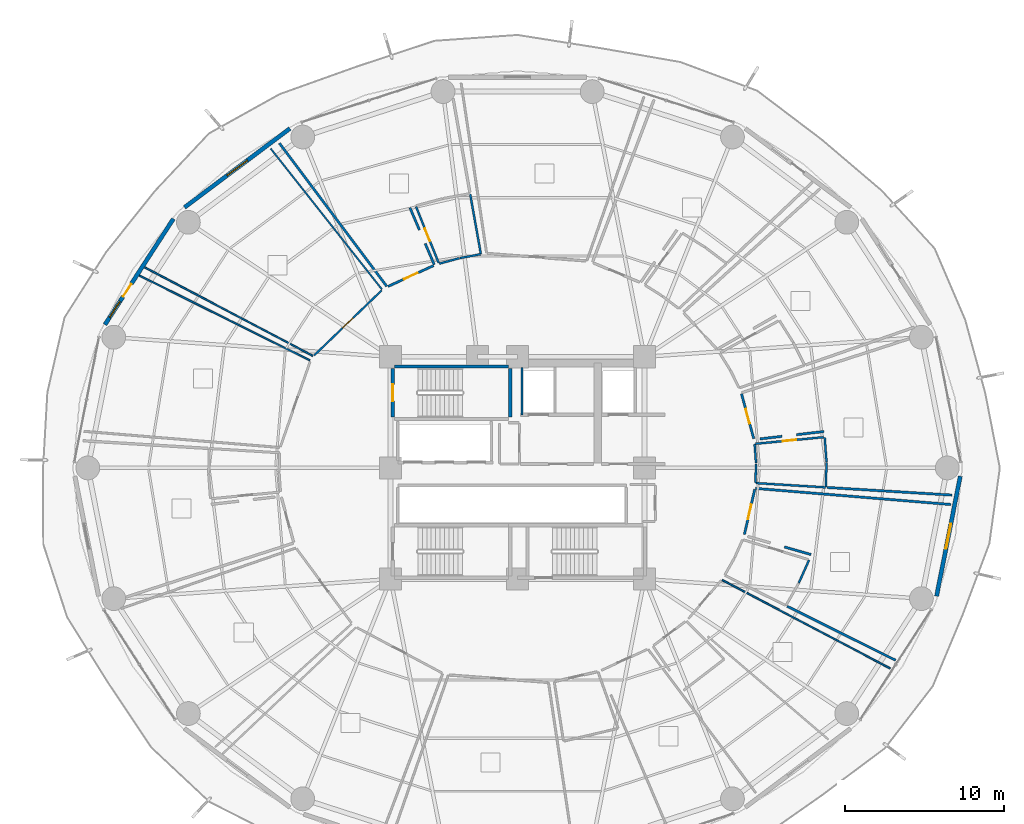
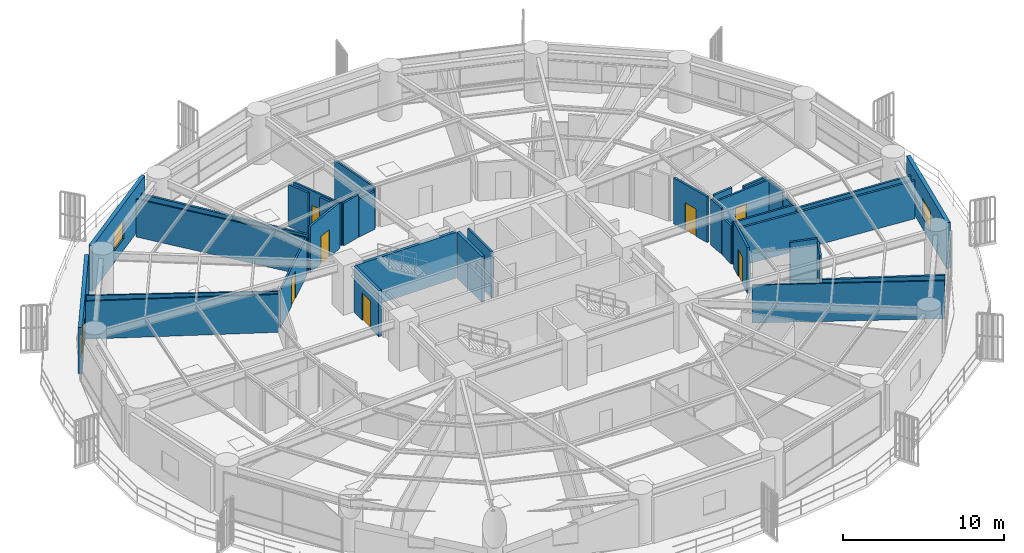
# One storey, part 24 of 31: 35 walls, 8 doors, 3 windows, 11 openings.
"""IFC4 building model written with IfcOpenShell, lengths in metres."""

from ifc_helpers import new_model, si_unit, direction, frame, frame_2d, origin, place, context, subcontext, project, spatial, rectangle, extrude, material, layer, layer_set, type_object, element, fill, save


model = new_model("IFC4")

# Units and contexts
model_context = context("Model", 3, precision=1e-05, world=origin(), true_north=direction((0.0, 1.0)))
body_context = subcontext(model_context, "Body", "Model", "MODEL_VIEW")
ifc_project = project(units=[si_unit("LENGTHUNIT", "METRE"), si_unit("AREAUNIT", "SQUARE_METRE"), si_unit("VOLUMEUNIT", "CUBIC_METRE"), si_unit("PLANEANGLEUNIT", "RADIAN"), si_unit("MASSUNIT", "GRAM", prefix="KILO")], contexts=[model_context])

# Site, building, storey
site_placement = place(None, origin())
site = spatial("IfcSite", under=ifc_project, at=site_placement, CompositionType="ELEMENT")
building_placement = place(site_placement, origin())
building = spatial("IfcBuilding", under=site, at=building_placement, Name="Kelanora Arch Commons", CompositionType="ELEMENT")
storey_placement = place(building_placement, frame((0.0, 0.0, 63.75)))
storey = spatial("IfcBuildingStorey", under=building, at=storey_placement, Name="L16", CompositionType="ELEMENT", Elevation=63.75)

# Wall
ifc_material_1 = material(Name="Autoclaved aerated concrete blockwork with fire plaster", Category="masonry")
ifc_layer_1 = layer(ifc_material_1, 0.14990234375)
ifc_layer_set_1 = layer_set([ifc_layer_1], Name="Autoclaved aerated concrete blockwork with fire plaster")
wall_type_1 = type_object("IfcWallType", Name="W-COMP-150", PredefinedType="PARTITIONING", material=ifc_layer_set_1)
wall_1_placement = place(storey_placement, frame((74.280029296875, 61.35009765625, 0.0), z_axis=(0.0, 0.0, 1.0), x_axis=(0.0, 1.0, 0.0)))
element("IfcWall", 1, at=wall_1_placement, inside=storey, type_object=wall_type_1, Name="Firefighting Lift 1 West Shaft Wall L16", PredefinedType="PARTITIONING", context=body_context, shape_type="SweptSolid", body=[
    extrude(rectangle(XDim=2.969970703125, YDim=0.14990234375, at=frame_2d((1.48486328125, 0.0))), origin(), (0.0, 0.0, 1.0), 3.47998046875),
])

# Wall, opening, door
wall_2_placement = place(storey_placement, frame((68.70849609375, 70.7509765625, 0.0), z_axis=(0.0, 0.0, 1.0), x_axis=(-0.909329201607, -0.416077400378, 0.0)))
wall_2 = element("IfcWall", 2, at=wall_2_placement, inside=storey, type_object=wall_type_1, Name="Co-Living Studio L16-04 Entry Partition", PredefinedType="PARTITIONING", context=body_context, shape_type="SweptSolid", body=[
    extrude(rectangle(XDim=3.160400390625, YDim=0.14990234375, at=frame_2d((1.580078125, 0.0))), origin(), (0.0, 0.0, 1.0), 3.47998046875),
])
opening_1_placement = place(wall_2_placement, frame((1.10498046875, 0.0, 0.0)))
opening_1 = element("IfcOpeningElement", 3, at=opening_1_placement, cuts=wall_2, Name="Opening D-CLU1", PredefinedType="OPENING", context=body_context, shape_type="SweptSolid", body=[
    extrude(rectangle(XDim=0.949951171875, YDim=2.080078125, at=frame_2d((0.47509765625, 1.0400390625))), frame((0.0, 0.0849609375, 0.0), z_axis=(0.0, -1.0, 0.0), x_axis=(1.0, 0.0, 0.0)), (0.0, 0.0, 1.0), 0.169921875),
])
ifc_material_2 = material(Name="Solid-core acoustic timber cluster entry fire door", Category="wood")
door_type_1 = type_object("IfcDoorType", Name="D-CLU-95", OperationType="NOTDEFINED", PredefinedType="DOOR", material=ifc_material_2)
door_1_placement = place(opening_1_placement, origin())
door_1 = element("IfcDoor", 4, at=door_1_placement, inside=storey, type_object=door_type_1, Name="Co-Living Studio L16-04 Door", OperationType="SINGLE_SWING_RIGHT", OverallHeight=2.080078125, OverallWidth=0.949951171875, PredefinedType="DOOR", context=body_context, shape_type="SweptSolid", body=[
    extrude(rectangle(XDim=0.949951171875, YDim=2.080078125, at=frame_2d((0.47509765625, 1.0400390625))), frame((0.0, 0.02490234375, 0.0), z_axis=(0.0, -1.0, 0.0), x_axis=(1.0, 0.0, 0.0)), (0.0, 0.0, 1.0), 0.050048828125),
])
fill(opening_1, door_1)

wall_3_placement = place(storey_placement, frame((88.29345703125, 53.805419921875, 0.0), z_axis=(0.0, 0.0, 1.0), x_axis=(0.224304671601, 0.974519068206, 0.0)))
wall_3 = element("IfcWall", 5, at=wall_3_placement, inside=storey, type_object=wall_type_1, Name="Co-Living Studio L16-13 Entry Partition", PredefinedType="PARTITIONING", context=body_context, shape_type="SweptSolid", body=[
    extrude(rectangle(XDim=2.924560546875, YDim=0.14990234375, at=frame_2d((1.46240234375, 0.0))), origin(), (0.0, 0.0, 1.0), 3.47998046875),
])
opening_2_placement = place(wall_3_placement, frame((0.987060546875, 0.0, 0.0)))
opening_2 = element("IfcOpeningElement", 6, at=opening_2_placement, cuts=wall_3, Name="Opening D-CLU1", PredefinedType="OPENING", context=body_context, shape_type="SweptSolid", body=[
    extrude(rectangle(XDim=0.949951171875, YDim=2.080078125, at=frame_2d((0.47509765625, 1.0400390625))), frame((0.0, 0.0849609375, 0.0), z_axis=(0.0, -1.0, 0.0), x_axis=(1.0, 0.0, 0.0)), (0.0, 0.0, 1.0), 0.169921875),
])
door_2_placement = place(opening_2_placement, origin())
door_2 = element("IfcDoor", 7, at=door_2_placement, inside=storey, type_object=door_type_1, Name="Co-Living Studio L16-13 Door", OperationType="SINGLE_SWING_LEFT", OverallHeight=2.080078125, OverallWidth=0.949951171875, PredefinedType="DOOR", context=body_context, shape_type="SweptSolid", body=[
    extrude(rectangle(XDim=0.949951171875, YDim=2.080078125, at=frame_2d((0.47509765625, 1.0400390625))), frame((0.0, 0.02490234375, 0.0), z_axis=(0.0, -1.0, 0.0), x_axis=(1.0, 0.0, 0.0)), (0.0, 0.0, 1.0), 0.050048828125),
])
fill(opening_2, door_2)

wall_4_placement = place(storey_placement, frame((88.88427734375, 59.844970703125, 0.0), z_axis=(0.0, 0.0, 1.0), x_axis=(-0.263653235341, 0.964617526014, 0.0)))
wall_4 = element("IfcWall", 8, at=wall_4_placement, inside=storey, type_object=wall_type_1, Name="Co-Living Studio L16-14 Entry Partition", PredefinedType="PARTITIONING", context=body_context, shape_type="SweptSolid", body=[
    extrude(rectangle(XDim=2.929931640625, YDim=0.14990234375, at=frame_2d((1.46484375, 0.0))), origin(), (0.0, 0.0, 1.0), 3.47998046875),
])
opening_3_placement = place(wall_4_placement, frame((0.989990234375, 0.0, 0.0)))
opening_3 = element("IfcOpeningElement", 9, at=opening_3_placement, cuts=wall_4, Name="Opening D-CLU1", PredefinedType="OPENING", context=body_context, shape_type="SweptSolid", body=[
    extrude(rectangle(XDim=0.949951171875, YDim=2.080078125, at=frame_2d((0.47509765625, 1.0400390625))), frame((0.0, 0.0849609375, 0.0), z_axis=(0.0, -1.0, 0.0), x_axis=(1.0, 0.0, 0.0)), (0.0, 0.0, 1.0), 0.169921875),
])
door_3_placement = place(opening_3_placement, origin())
door_3 = element("IfcDoor", 10, at=door_3_placement, inside=storey, type_object=door_type_1, Name="Co-Living Studio L16-14 Door", OperationType="SINGLE_SWING_LEFT", OverallHeight=2.080078125, OverallWidth=0.949951171875, PredefinedType="DOOR", context=body_context, shape_type="SweptSolid", body=[
    extrude(rectangle(XDim=0.949951171875, YDim=2.080078125, at=frame_2d((0.47509765625, 1.0400390625))), frame((0.0, 0.02490234375, 0.0), z_axis=(0.0, -1.0, 0.0), x_axis=(1.0, 0.0, 0.0)), (0.0, 0.0, 1.0), 0.050048828125),
])
fill(opening_3, door_3)

# Walls
wall_5_placement = place(storey_placement, frame((65.756103515625, 69.443115234375, 0.0), z_axis=(0.0, 0.0, 1.0), x_axis=(-0.599892569248, 0.800080561794, 0.0)))
element("IfcWall", 11, at=wall_5_placement, inside=storey, type_object=wall_type_1, Name="Co-Living Studio L16-04 Enclosure Partition 2", PredefinedType="PARTITIONING", context=body_context, shape_type="SweptSolid", body=[
    extrude(rectangle(XDim=11.2724609375, YDim=0.14990234375, at=frame_2d((5.63623046875, 0.0))), origin(), (0.0, 0.0, 1.0), 2.875),
])
wall_6_placement = place(storey_placement, frame((67.216796875, 74.400146484375, 0.0), z_axis=(0.0, 0.0, 1.0), x_axis=(0.392381203535, -0.919802691403, 0.0)))
element("IfcWall", 12, at=wall_6_placement, inside=storey, type_object=wall_type_1, Name="Co-Living Studio L16-04 Enclosure Partition 7", PredefinedType="PARTITIONING", context=body_context, shape_type="SweptSolid", body=[
    extrude(rectangle(XDim=1.533203125, YDim=0.14990234375, at=frame_2d((0.7666015625, 0.0))), origin(), (0.0, 0.0, 1.0), 3.175048828125),
])
wall_7_placement = place(storey_placement, frame((68.179443359375, 72.143798828125, 0.0), z_axis=(0.0, 0.0, 1.0), x_axis=(0.392412042959, -0.919789534916, 0.0)))
element("IfcWall", 13, at=wall_7_placement, inside=storey, type_object=wall_type_1, Name="Co-Living Studio L16-04 Enclosure Partition 7", PredefinedType="PARTITIONING", context=body_context, shape_type="SweptSolid", body=[
    extrude(rectangle(XDim=1.447021484375, YDim=0.14990234375, at=frame_2d((0.7236328125, 0.0))), origin(), (0.0, 0.0, 1.0), 3.235107421875),
])
wall_8_placement = place(storey_placement, frame((89.0029296875, 56.710693359375, 0.0), z_axis=(0.0, 0.0, 1.0), x_axis=(0.996604780232, -0.08233414856, 0.0)))
element("IfcWall", 14, at=wall_8_placement, inside=storey, type_object=wall_type_1, Name="Co-Living Studio L16-13 Enclosure Partition 2", PredefinedType="PARTITIONING", context=body_context, shape_type="SweptSolid", body=[
    extrude(rectangle(XDim=12.356201171875, YDim=0.14990234375, at=frame_2d((6.17822265625, 0.0))), origin(), (0.0, 0.0, 1.0), 2.875),
])
wall_9_placement = place(storey_placement, frame((97.8271484375, 45.87890625, 0.0), z_axis=(0.0, 0.0, 1.0), x_axis=(-0.89528739616, 0.445489032724, 0.0)))
element("IfcWall", 15, at=wall_9_placement, inside=storey, type_object=wall_type_1, Name="Co-Living Studio L16-13 Enclosure Partition 5", PredefinedType="PARTITIONING", context=body_context, shape_type="SweptSolid", body=[
    extrude(rectangle(XDim=7.648193359375, YDim=0.14990234375, at=frame_2d((3.82421875, 0.0))), origin(), (0.0, 0.0, 1.0), 2.875),
])
wall_10_placement = place(storey_placement, frame((92.49951171875, 52.5400390625, 0.0), z_axis=(0.0, 0.0, 1.0), x_axis=(-0.961450395183, 0.27497843116, 0.0)))
element("IfcWall", 16, at=wall_10_placement, inside=storey, type_object=wall_type_1, Name="Co-Living Studio L16-13 Enclosure Partition 7", PredefinedType="PARTITIONING", context=body_context, shape_type="SweptSolid", body=[
    extrude(rectangle(XDim=1.75439453125, YDim=0.14990234375, at=frame_2d((0.877197265625, 0.0))), origin(), (0.0, 0.0, 1.0), 3.47998046875),
])
wall_11_placement = place(storey_placement, frame((101.373046875, 56.288330078125, 0.0), z_axis=(0.0, 0.0, 1.0), x_axis=(-0.998135541011, 0.0610363971, 0.0)))
element("IfcWall", 17, at=wall_11_placement, inside=storey, type_object=wall_type_1, Name="Co-Living Studio L16-14 Enclosure Partition 5", PredefinedType="PARTITIONING", context=body_context, shape_type="SweptSolid", body=[
    extrude(rectangle(XDim=7.8837890625, YDim=0.14990234375, at=frame_2d((3.94189453125, 0.0))), origin(), (0.0, 0.0, 1.0), 2.875),
])
wall_12_placement = place(storey_placement, frame((93.30419921875, 60.29443359375, 0.0), z_axis=(0.0, 0.0, 1.0), x_axis=(-0.993432194787, -0.114422350794, 0.0)))
element("IfcWall", 18, at=wall_12_placement, inside=storey, type_object=wall_type_1, Name="Co-Living Studio L16-14 Enclosure Partition 7", PredefinedType="PARTITIONING", context=body_context, shape_type="SweptSolid", body=[
    extrude(rectangle(XDim=1.745361328125, YDim=0.14990234375, at=frame_2d((0.87255859375, 0.0))), origin(), (0.0, 0.0, 1.0), 3.175048828125),
])
wall_13_placement = place(storey_placement, frame((90.65625, 59.9892578125, 0.0), z_axis=(0.0, 0.0, 1.0), x_axis=(-0.99343576075, -0.114391386311, 0.0)))
element("IfcWall", 19, at=wall_13_placement, inside=storey, type_object=wall_type_1, Name="Co-Living Studio L16-14 Enclosure Partition 7", PredefinedType="PARTITIONING", context=body_context, shape_type="SweptSolid", body=[
    extrude(rectangle(XDim=1.3935546875, YDim=0.14990234375, at=frame_2d((0.69677734375, 0.0))), origin(), (0.0, 0.0, 1.0), 3.47998046875),
])

# Wall, opening, window
ifc_material_3 = material(Name="Precast concrete C40/50 with terracotta rainscreen", Category="masonry")
ifc_layer_2 = layer(ifc_material_3, 0.260009765625)
ifc_layer_set_2 = layer_set([ifc_layer_2], Name="Precast concrete C40/50 with terracotta rainscreen")
wall_type_2 = type_object("IfcWallType", Name="W-EXT-TC", PredefinedType="SOLIDWALL", material=ifc_layer_set_2)
wall_14_placement = place(storey_placement, frame((59.651123046875, 79.38916015625, 0.0), z_axis=(0.0, 0.0, 1.0), x_axis=(-0.80030733173, -0.599590005569, 0.0)))
wall_14 = element("IfcWall", 20, at=wall_14_placement, inside=storey, type_object=wall_type_2, Name="Terracotta Exterior Wall L16-B06", PredefinedType="SOLIDWALL", context=body_context, shape_type="SweptSolid", body=[
    extrude(rectangle(XDim=8.29052734375, YDim=0.260009765625, at=frame_2d((4.145263671875, 0.0))), origin(), (0.0, 0.0, 1.0), 3.47509765625),
])
opening_4_placement = place(wall_14_placement, frame((3.344970703125, 0.0, 0.85009765625)))
opening_4 = element("IfcOpeningElement", 21, at=opening_4_placement, cuts=wall_14, Name="Opening WN-01", PredefinedType="OPENING", context=body_context, shape_type="SweptSolid", body=[
    extrude(rectangle(XDim=1.60009765625, YDim=1.449951171875, at=frame_2d((0.800048828125, 0.72509765625))), frame((0.0, 0.14013671875, 0.0), z_axis=(0.0, -1.0, 0.0), x_axis=(1.0, 0.0, 0.0)), (0.0, 0.0, 1.0), 0.280029296875),
])
ifc_material_4 = material(Name="Terracotta-anodised aluminium frame with operable low-E glazing", Category="masonry")
window_type_1 = type_object("IfcWindowType", Name="WIN-CL-18", PartitioningType="DOUBLE_PANEL_VERTICAL", PredefinedType="WINDOW", material=ifc_material_4)
window_1_placement = place(opening_4_placement, origin())
window_1 = element("IfcWindow", 22, at=window_1_placement, inside=storey, type_object=window_type_1, Name="Co-Living Operable Window L16-B06", OverallHeight=1.449951171875, OverallWidth=1.60009765625, PartitioningType="SINGLE_PANEL", PredefinedType="WINDOW", context=body_context, shape_type="SweptSolid", body=[
    extrude(rectangle(XDim=1.60009765625, YDim=1.449951171875, at=frame_2d((0.800048828125, 0.72509765625))), frame((0.0, 0.030029296875, 0.0), z_axis=(0.0, -1.0, 0.0), x_axis=(1.0, 0.0, 0.0)), (0.0, 0.0, 1.0), 0.06005859375),
])
fill(opening_4, window_1)

# Wall, openings, door, window
wall_15_placement = place(storey_placement, frame((52.310791015625, 73.698486328125, 0.0), z_axis=(0.0, 0.0, 1.0), x_axis=(-0.543005114258, -0.839729388488, 0.0)))
wall_15 = element("IfcWall", 23, at=wall_15_placement, inside=storey, type_object=wall_type_2, Name="Terracotta Exterior Wall L16-B07", PredefinedType="SOLIDWALL", context=body_context, shape_type="SweptSolid", body=[
    extrude(rectangle(XDim=7.9375, YDim=0.260009765625, at=frame_2d((3.96875, 0.0))), origin(), (0.0, 0.0, 1.0), 3.47509765625),
])
opening_5_placement = place(wall_15_placement, frame((4.89404296875, 0.0, 0.0)))
opening_5 = element("IfcOpeningElement", 24, at=opening_5_placement, cuts=wall_15, Name="Opening DB-01", PredefinedType="OPENING", context=body_context, shape_type="SweptSolid", body=[
    extrude(rectangle(XDim=0.949951171875, YDim=2.10009765625, at=frame_2d((0.47509765625, 1.050048828125))), frame((0.0, 0.14013671875, 0.0), z_axis=(0.0, -1.0, 0.0), x_axis=(1.0, 0.0, 0.0)), (0.0, 0.0, 1.0), 0.280029296875),
])
opening_6_placement = place(wall_15_placement, frame((6.194091796875, 0.0, 0.85009765625)))
opening_6 = element("IfcOpeningElement", 25, at=opening_6_placement, cuts=wall_15, Name="Opening WN-02", PredefinedType="OPENING", context=body_context, shape_type="SweptSolid", body=[
    extrude(rectangle(XDim=1.199951171875, YDim=1.449951171875, at=frame_2d((0.60009765625, 0.72509765625))), frame((0.0, 0.14013671875, 0.0), z_axis=(0.0, -1.0, 0.0), x_axis=(1.0, 0.0, 0.0)), (0.0, 0.0, 1.0), 0.280029296875),
])
ifc_material_5 = material(Name="Terracotta-aluminium thermally broken glazed balcony door", Category="masonry")
door_type_2 = type_object("IfcDoorType", Name="D-BAL-10", OperationType="NOTDEFINED", PredefinedType="DOOR", material=ifc_material_5)
door_4_placement = place(opening_5_placement, frame((0.949951171875, 0.0, 0.0), z_axis=(0.0, 0.0, 1.0), x_axis=(-1.0, 0.0, 0.0)))
door_4 = element("IfcDoor", 26, at=door_4_placement, inside=storey, type_object=door_type_2, Name="Wave Balcony Door L16-B07", OperationType="SINGLE_SWING_RIGHT", OverallHeight=2.10009765625, OverallWidth=0.949951171875, PredefinedType="DOOR", context=body_context, shape_type="SweptSolid", body=[
    extrude(rectangle(XDim=0.949951171875, YDim=2.10009765625, at=frame_2d((0.47509765625, 1.050048828125))), frame((0.0, 0.02490234375, 0.0), z_axis=(0.0, -1.0, 0.0), x_axis=(1.0, 0.0, 0.0)), (0.0, 0.0, 1.0), 0.050048828125),
])
fill(opening_5, door_4)
ifc_material_6 = material(Name="Terracotta-anodised aluminium frame with operable awning sash", Category="masonry")
window_type_2 = type_object("IfcWindowType", Name="WIN-CL-12", PartitioningType="SINGLE_PANEL", PredefinedType="WINDOW", material=ifc_material_6)
window_2_placement = place(opening_6_placement, origin())
window_2 = element("IfcWindow", 27, at=window_2_placement, inside=storey, type_object=window_type_2, Name="Co-Living Operable Window L16-B07", OverallHeight=1.449951171875, OverallWidth=1.199951171875, PartitioningType="SINGLE_PANEL", PredefinedType="WINDOW", context=body_context, shape_type="SweptSolid", body=[
    extrude(rectangle(XDim=1.199951171875, YDim=1.449951171875, at=frame_2d((0.60009765625, 0.72509765625))), frame((0.0, 0.030029296875, 0.0), z_axis=(0.0, -1.0, 0.0), x_axis=(1.0, 0.0, 0.0)), (0.0, 0.0, 1.0), 0.06005859375),
])
fill(opening_6, window_2)

# Wall, opening, window
wall_16_placement = place(storey_placement, frame((100.404296875, 49.919921875, 0.0), z_axis=(0.0, 0.0, 1.0), x_axis=(0.193726159581, 0.98105564322, 0.0)))
wall_16 = element("IfcWall", 28, at=wall_16_placement, inside=storey, type_object=wall_type_2, Name="Terracotta Exterior Wall L16-B17", PredefinedType="SOLIDWALL", context=body_context, shape_type="SweptSolid", body=[
    extrude(rectangle(XDim=7.70263671875, YDim=0.260009765625, at=frame_2d((3.851318359375, 0.0))), origin(), (0.0, 0.0, 1.0), 3.47509765625),
])
opening_7_placement = place(wall_16_placement, frame((3.051025390625, 0.0, 0.85009765625)))
opening_7 = element("IfcOpeningElement", 29, at=opening_7_placement, cuts=wall_16, Name="Opening WN-01", PredefinedType="OPENING", context=body_context, shape_type="SweptSolid", body=[
    extrude(rectangle(XDim=1.60009765625, YDim=1.449951171875, at=frame_2d((0.800048828125, 0.72509765625))), frame((0.0, 0.14013671875, 0.0), z_axis=(0.0, -1.0, 0.0), x_axis=(1.0, 0.0, 0.0)), (0.0, 0.0, 1.0), 0.280029296875),
])
window_3_placement = place(opening_7_placement, origin())
window_3 = element("IfcWindow", 30, at=window_3_placement, inside=storey, type_object=window_type_1, Name="Co-Living Operable Window L16-B17", OverallHeight=1.449951171875, OverallWidth=1.60009765625, PartitioningType="SINGLE_PANEL", PredefinedType="WINDOW", context=body_context, shape_type="SweptSolid", body=[
    extrude(rectangle(XDim=1.60009765625, YDim=1.449951171875, at=frame_2d((0.800048828125, 0.72509765625))), frame((0.0, 0.030029296875, 0.0), z_axis=(0.0, -1.0, 0.0), x_axis=(1.0, 0.0, 0.0)), (0.0, 0.0, 1.0), 0.06005859375),
])
fill(opening_7, window_3)

# Walls
ifc_material_7 = material(Name="Lightweight fire-rated acoustic stud partition")
ifc_layer_3 = layer(ifc_material_7, 0.10009765625)
ifc_layer_set_3 = layer_set([ifc_layer_3], Name="Lightweight fire-rated acoustic stud partition")
wall_type_3 = type_object("IfcWallType", Name="W-PART-100", PredefinedType="PARTITIONING", material=ifc_layer_set_3)
wall_17_placement = place(storey_placement, frame((61.0986328125, 65.064697265625, 0.0), z_axis=(0.0, 0.0, 1.0), x_axis=(-0.884914680824, 0.46575316173, 0.0)))
element("IfcWall", 31, at=wall_17_placement, inside=storey, type_object=wall_type_3, Name="Quiet Seminar Study Room L16-05 Enclosure Partition 2", PredefinedType="PARTITIONING", context=body_context, shape_type="SweptSolid", body=[
    extrude(rectangle(XDim=11.962890625, YDim=0.10009765625, at=frame_2d((5.9814453125, 0.0))), origin(), (0.0, 0.0, 1.0), 2.875),
])
wall_18_placement = place(storey_placement, frame((58.437744140625, 78.129638671875, 0.0), z_axis=(0.0, 0.0, 1.0), x_axis=(0.620037561985, -0.78457212653, 0.0)))
element("IfcWall", 32, at=wall_18_placement, inside=storey, type_object=wall_type_3, Name="Quiet Seminar Study Room L16-05 Enclosure Partition 4", PredefinedType="PARTITIONING", context=body_context, shape_type="SweptSolid", body=[
    extrude(rectangle(XDim=11.309814453125, YDim=0.10009765625, at=frame_2d((5.65478515625, 0.0))), origin(), (0.0, 0.0, 1.0), 2.875),
])
wall_19_placement = place(storey_placement, frame((50.1728515625, 70.12109375, 0.0), z_axis=(0.0, 0.0, 1.0), x_axis=(0.895272258208, -0.445519453764, 0.0)))
element("IfcWall", 33, at=wall_19_placement, inside=storey, type_object=wall_type_3, Name="Social Sky Lounge L16-06 Enclosure Partition 4", PredefinedType="PARTITIONING", context=body_context, shape_type="SweptSolid", body=[
    extrude(rectangle(XDim=11.99560546875, YDim=0.10009765625, at=frame_2d((5.997802734375, 0.0))), origin(), (0.0, 0.0, 1.0), 2.875),
])
wall_20_placement = place(storey_placement, frame((86.9013671875, 50.935302734375, 0.0), z_axis=(0.0, 0.0, 1.0), x_axis=(0.884914680824, -0.46575316173, 0.0)))
element("IfcWall", 34, at=wall_20_placement, inside=storey, type_object=wall_type_3, Name="Tutorial Study Alcove L16-12 Enclosure Partition 2", PredefinedType="PARTITIONING", context=body_context, shape_type="SweptSolid", body=[
    extrude(rectangle(XDim=11.962890625, YDim=0.10009765625, at=frame_2d((5.9814453125, 0.0))), origin(), (0.0, 0.0, 1.0), 2.875),
])

# Wall, opening, door
ifc_material_8 = material(Name="Acoustic twin-stud fire-rated gypsum partition")
ifc_layer_4 = layer(ifc_material_8, 0.1201171875)
ifc_layer_set_4 = layer_set([ifc_layer_4], Name="Acoustic twin-stud fire-rated gypsum partition")
wall_type_4 = type_object("IfcWallType", Name="W-PART-120", PredefinedType="PARTITIONING", material=ifc_layer_set_4)
wall_21_placement = place(storey_placement, frame((65.431884765625, 69.183349609375, 0.0), z_axis=(0.0, 0.0, 1.0), x_axis=(-0.720434955678, -0.69352251199, 0.0)))
wall_21 = element("IfcWall", 35, at=wall_21_placement, inside=storey, type_object=wall_type_4, Name="Quiet Seminar Study Room L16-05 Entry Partition", PredefinedType="PARTITIONING", context=body_context, shape_type="SweptSolid", body=[
    extrude(rectangle(XDim=5.90576171875, YDim=0.1201171875, at=frame_2d((2.952880859375, 0.0))), origin(), (0.0, 0.0, 1.0), 2.875),
])
opening_8_placement = place(wall_21_placement, frame((2.5029296875, 0.0, 0.0)))
opening_8 = element("IfcOpeningElement", 36, at=opening_8_placement, cuts=wall_21, Name="Opening D-RM1", PredefinedType="OPENING", context=body_context, shape_type="SweptSolid", body=[
    extrude(rectangle(XDim=0.89990234375, YDim=2.080078125, at=frame_2d((0.449951171875, 1.0400390625))), frame((0.0, 0.070068359375, 0.0), z_axis=(0.0, -1.0, 0.0), x_axis=(1.0, 0.0, 0.0)), (0.0, 0.0, 1.0), 0.14013671875),
])
ifc_material_9 = material(Name="Acoustic fire-rated timber study and lounge door", Category="wood")
door_type_3 = type_object("IfcDoorType", Name="D-ROOM-90", OperationType="NOTDEFINED", PredefinedType="DOOR", material=ifc_material_9)
door_5_placement = place(opening_8_placement, origin())
door_5 = element("IfcDoor", 37, at=door_5_placement, inside=storey, type_object=door_type_3, Name="Quiet Seminar Study Room L16-05 Door", OperationType="SINGLE_SWING_LEFT", OverallHeight=2.080078125, OverallWidth=0.89990234375, PredefinedType="DOOR", context=body_context, shape_type="SweptSolid", body=[
    extrude(rectangle(XDim=0.89990234375, YDim=2.080078125, at=frame_2d((0.449951171875, 1.0400390625))), frame((0.0, 0.02490234375, 0.0), z_axis=(0.0, -1.0, 0.0), x_axis=(1.0, 0.0, 0.0)), (0.0, 0.0, 1.0), 0.050048828125),
])
fill(opening_8, door_5)

# Walls
ifc_material_10 = material(Name="Concrete C40/50", Category="concrete")
ifc_layer_5 = layer(ifc_material_10, 0.199951171875)
ifc_layer_set_5 = layer_set([ifc_layer_5], Name="Concrete C40/50")
wall_type_5 = type_object("IfcWallType", Name="W-STAIR-200", PredefinedType="SHEAR", material=ifc_layer_set_5)
wall_22_placement = place(storey_placement, frame((73.5400390625, 61.199951171875, 0.0), z_axis=(0.0, 0.0, 1.0), x_axis=(0.0, 1.0, 0.0)))
element("IfcWall", 38, at=wall_22_placement, inside=storey, type_object=wall_type_5, Name="Stair ST-T1 Shaft Wall E L16", PredefinedType="SHEAR", context=body_context, shape_type="SweptSolid", body=[
    extrude(rectangle(XDim=3.070068359375, YDim=0.199951171875, at=frame_2d((1.53515625, 0.0))), origin(), (0.0, 0.0, 1.0), 3.489990234375),
])
wall_23_placement = place(storey_placement, frame((73.419921875, 64.389892578125, 0.0), z_axis=(0.0, 0.0, 1.0), x_axis=(-1.0, 0.0, 0.0)))
element("IfcWall", 39, at=wall_23_placement, inside=storey, type_object=wall_type_5, Name="Stair ST-T1 Shaft Wall N L16", PredefinedType="SHEAR", context=body_context, shape_type="SweptSolid", body=[
    extrude(rectangle(XDim=7.159912109375, YDim=0.199951171875, at=frame_2d((3.580078125, 0.0))), origin(), (0.0, 0.0, 1.0), 3.489990234375),
])

# Wall, opening, door
wall_24_placement = place(storey_placement, frame((66.139892578125, 64.27001953125, 0.0), z_axis=(0.0, 0.0, 1.0), x_axis=(0.0, -1.0, 0.0)))
wall_24 = element("IfcWall", 40, at=wall_24_placement, inside=storey, type_object=wall_type_5, Name="Stair ST-T1 Shaft Wall W L16", PredefinedType="SHEAR", context=body_context, shape_type="SweptSolid", body=[
    extrude(rectangle(XDim=3.070068359375, YDim=0.199951171875, at=frame_2d((1.53515625, 0.0))), origin(), (0.0, 0.0, 1.0), 3.489990234375),
])
opening_9_placement = place(wall_24_placement, frame((1.010009765625, 0.0, 0.0)))
opening_9 = element("IfcOpeningElement", 41, at=opening_9_placement, cuts=wall_24, Name="Opening D-ST1", PredefinedType="OPENING", context=body_context, shape_type="SweptSolid", body=[
    extrude(rectangle(XDim=1.050048828125, YDim=2.10009765625, at=frame_2d((0.52490234375, 1.050048828125))), frame((0.0, 0.10986328125, 0.0), z_axis=(0.0, -1.0, 0.0), x_axis=(1.0, 0.0, 0.0)), (0.0, 0.0, 1.0), 0.219970703125),
])
ifc_material_11 = material(Name="Steel fire-rated stairwell escape door", Category="steel")
door_type_4 = type_object("IfcDoorType", Name="D-STAIR-110", OperationType="NOTDEFINED", PredefinedType="DOOR", material=ifc_material_11)
door_6_placement = place(opening_9_placement, origin())
door_6 = element("IfcDoor", 42, at=door_6_placement, inside=storey, type_object=door_type_4, Name="Stair ST-T1 Escape Door L16", OperationType="SINGLE_SWING_LEFT", OverallHeight=2.10009765625, OverallWidth=1.050048828125, PredefinedType="DOOR", context=body_context, shape_type="SweptSolid", body=[
    extrude(rectangle(XDim=1.050048828125, YDim=2.10009765625, at=frame_2d((0.52490234375, 1.050048828125))), frame((0.0, 0.02490234375, 0.0), z_axis=(0.0, -1.0, 0.0), x_axis=(1.0, 0.0, 0.0)), (0.0, 0.0, 1.0), 0.050048828125),
])
fill(opening_9, door_6)

ifc_material_12 = material(Name="Moisture-resistant fire-rated cement-board plumbing wall")
ifc_layer_6 = layer(ifc_material_12, 0.1298828125)
ifc_layer_set_6 = layer_set([ifc_layer_6], Name="Moisture-resistant fire-rated cement-board plumbing wall")
wall_type_6 = type_object("IfcWallType", Name="W-WET-120", PredefinedType="PLUMBINGWALL", material=ifc_layer_set_6)
wall_25_placement = place(storey_placement, frame((69.024658203125, 70.9248046875, 0.0), z_axis=(0.0, 0.0, 1.0), x_axis=(-0.372295813282, 0.928114124132, 0.0)))
wall_25 = element("IfcWall", 43, at=wall_25_placement, inside=storey, type_object=wall_type_6, Name="En-Suite Shower WC L16-04 Entry Partition", PredefinedType="PLUMBINGWALL", context=body_context, shape_type="SweptSolid", body=[
    extrude(rectangle(XDim=3.812744140625, YDim=0.1298828125, at=frame_2d((1.90625, 0.0))), origin(), (0.0, 0.0, 1.0), 3.175048828125),
])
opening_10_placement = place(wall_25_placement, frame((1.47607421875, 0.0, 0.0)))
opening_10 = element("IfcOpeningElement", 44, at=opening_10_placement, cuts=wall_25, Name="Opening D-BT1", PredefinedType="OPENING", context=body_context, shape_type="SweptSolid", body=[
    extrude(rectangle(XDim=0.860107421875, YDim=2.050048828125, at=frame_2d((0.43017578125, 1.02490234375))), frame((0.0, 0.074951171875, 0.0), z_axis=(0.0, -1.0, 0.0), x_axis=(1.0, 0.0, 0.0)), (0.0, 0.0, 1.0), 0.14990234375),
])
ifc_material_13 = material(Name="Moisture-sealed fire-rated accessible bathroom door")
door_type_5 = type_object("IfcDoorType", Name="D-BATH-85", OperationType="NOTDEFINED", PredefinedType="DOOR", material=ifc_material_13)
door_7_placement = place(opening_10_placement, origin())
door_7 = element("IfcDoor", 45, at=door_7_placement, inside=storey, type_object=door_type_5, Name="En-Suite Shower WC L16-04 Door", OperationType="SINGLE_SWING_LEFT", OverallHeight=2.050048828125, OverallWidth=0.860107421875, PredefinedType="DOOR", context=body_context, shape_type="SweptSolid", body=[
    extrude(rectangle(XDim=0.860107421875, YDim=2.050048828125, at=frame_2d((0.43017578125, 1.02490234375))), frame((0.0, 0.02490234375, 0.0), z_axis=(0.0, -1.0, 0.0), x_axis=(1.0, 0.0, 0.0)), (0.0, 0.0, 1.0), 0.050048828125),
])
fill(opening_10, door_7)

wall_26_placement = place(storey_placement, frame((88.99658203125, 59.521728515625, 0.0), z_axis=(0.0, 0.0, 1.0), x_axis=(0.995308448338, 0.096752739847, 0.0)))
wall_26 = element("IfcWall", 46, at=wall_26_placement, inside=storey, type_object=wall_type_6, Name="En-Suite Shower WC L16-14 Entry Partition", PredefinedType="PLUMBINGWALL", context=body_context, shape_type="SweptSolid", body=[
    extrude(rectangle(XDim=4.31494140625, YDim=0.1298828125, at=frame_2d((2.157470703125, 0.0))), origin(), (0.0, 0.0, 1.0), 3.175048828125),
])
opening_11_placement = place(wall_26_placement, frame((1.72705078125, 0.0, 0.0)))
opening_11 = element("IfcOpeningElement", 47, at=opening_11_placement, cuts=wall_26, Name="Opening D-BT1", PredefinedType="OPENING", context=body_context, shape_type="SweptSolid", body=[
    extrude(rectangle(XDim=0.860107421875, YDim=2.050048828125, at=frame_2d((0.43017578125, 1.02490234375))), frame((0.0, 0.074951171875, 0.0), z_axis=(0.0, -1.0, 0.0), x_axis=(1.0, 0.0, 0.0)), (0.0, 0.0, 1.0), 0.14990234375),
])
door_8_placement = place(opening_11_placement, origin())
door_8 = element("IfcDoor", 48, at=door_8_placement, inside=storey, type_object=door_type_5, Name="En-Suite Shower WC L16-14 Door", OperationType="SINGLE_SWING_RIGHT", OverallHeight=2.050048828125, OverallWidth=0.860107421875, PredefinedType="DOOR", context=body_context, shape_type="SweptSolid", body=[
    extrude(rectangle(XDim=0.860107421875, YDim=2.050048828125, at=frame_2d((0.43017578125, 1.02490234375))), frame((0.0, 0.02490234375, 0.0), z_axis=(0.0, -1.0, 0.0), x_axis=(1.0, 0.0, 0.0)), (0.0, 0.0, 1.0), 0.050048828125),
])
fill(opening_11, door_8)

# Walls
wall_27_placement = place(storey_placement, frame((71.67041015625, 71.46435546875, 0.0), z_axis=(0.0, 0.0, 1.0), x_axis=(-0.983620231748, -0.180253265423, 0.0)))
element("IfcWall", 49, at=wall_27_placement, inside=storey, type_object=wall_type_6, Name="En-Suite Shower WC L16-04 Enclosure Partition 1", PredefinedType="PLUMBINGWALL", context=body_context, shape_type="SweptSolid", body=[
    extrude(rectangle(XDim=1.3193359375, YDim=0.1298828125, at=frame_2d((0.65966796875, 0.0))), origin(), (0.0, 0.0, 1.0), 2.875),
])
wall_28_placement = place(storey_placement, frame((70.333740234375, 71.2177734375, 0.0), z_axis=(0.0, 0.0, 1.0), x_axis=(-0.965174550562, -0.261606741021, 0.0)))
element("IfcWall", 50, at=wall_28_placement, inside=storey, type_object=wall_type_6, Name="En-Suite Shower WC L16-04 Enclosure Partition 2", PredefinedType="PLUMBINGWALL", context=body_context, shape_type="SweptSolid", body=[
    extrude(rectangle(XDim=1.31298828125, YDim=0.1298828125, at=frame_2d((0.656494140625, 0.0))), origin(), (0.0, 0.0, 1.0), 3.235107421875),
])
wall_29_placement = place(storey_placement, frame((71.010498046875, 75.268310546875, 0.0), z_axis=(0.0, 0.0, 1.0), x_axis=(0.176026055589, -0.984385507692, 0.0)))
element("IfcWall", 51, at=wall_29_placement, inside=storey, type_object=wall_type_6, Name="En-Suite Shower WC L16-04 Enclosure Partition 6", PredefinedType="PLUMBINGWALL", context=body_context, shape_type="SweptSolid", body=[
    extrude(rectangle(XDim=3.840576171875, YDim=0.1298828125, at=frame_2d((1.92041015625, 0.0))), origin(), (0.0, 0.0, 1.0), 3.175048828125),
])
wall_30_placement = place(storey_placement, frame((92.36572265625, 52.190673828125, 0.0), z_axis=(0.0, 0.0, 1.0), x_axis=(-0.408383071263, -0.912810641429, 0.0)))
element("IfcWall", 52, at=wall_30_placement, inside=storey, type_object=wall_type_6, Name="En-Suite Shower WC L16-13 Enclosure Partition 4", PredefinedType="PLUMBINGWALL", context=body_context, shape_type="SweptSolid", body=[
    extrude(rectangle(XDim=1.573486328125, YDim=0.1298828125, at=frame_2d((0.78662109375, 0.0))), origin(), (0.0, 0.0, 1.0), 3.47998046875),
])
wall_31_placement = place(storey_placement, frame((88.993408203125, 57.06591796875, 0.0), z_axis=(0.0, 0.0, 1.0), x_axis=(0.027750076623, 0.99961489247, 0.0)))
element("IfcWall", 53, at=wall_31_placement, inside=storey, type_object=wall_type_6, Name="En-Suite Shower WC L16-14 Enclosure Partition 1", PredefinedType="PLUMBINGWALL", context=body_context, shape_type="SweptSolid", body=[
    extrude(rectangle(XDim=1.196533203125, YDim=0.1298828125, at=frame_2d((0.59814453125, 0.0))), origin(), (0.0, 0.0, 1.0), 2.875),
])
wall_32_placement = place(storey_placement, frame((89.025390625, 58.302001953125, 0.0), z_axis=(0.0, 0.0, 1.0), x_axis=(-0.072594705052, 0.99736152362, 0.0)))
element("IfcWall", 54, at=wall_32_placement, inside=storey, type_object=wall_type_6, Name="En-Suite Shower WC L16-14 Enclosure Partition 2", PredefinedType="PLUMBINGWALL", context=body_context, shape_type="SweptSolid", body=[
    extrude(rectangle(XDim=1.197265625, YDim=0.1298828125, at=frame_2d((0.5986328125, 0.0))), origin(), (0.0, 0.0, 1.0), 3.47998046875),
])
wall_33_placement = place(storey_placement, frame((93.3525390625, 59.925048828125, 0.0), z_axis=(0.0, 0.0, 1.0), x_axis=(0.07367990301, -0.997281942027, 0.0)))
element("IfcWall", 55, at=wall_33_placement, inside=storey, type_object=wall_type_6, Name="En-Suite Shower WC L16-14 Enclosure Partition 4", PredefinedType="PLUMBINGWALL", context=body_context, shape_type="SweptSolid", body=[
    extrude(rectangle(XDim=1.54736328125, YDim=0.1298828125, at=frame_2d((0.773681640625, 0.0))), origin(), (0.0, 0.0, 1.0), 3.175048828125),
])
wall_34_placement = place(storey_placement, frame((93.46728515625, 58.342041015625, 0.0), z_axis=(0.0, 0.0, 1.0), x_axis=(-0.02760506688, -0.999618907526, 0.0)))
element("IfcWall", 56, at=wall_34_placement, inside=storey, type_object=wall_type_6, Name="En-Suite Shower WC L16-14 Enclosure Partition 5", PredefinedType="PLUMBINGWALL", context=body_context, shape_type="SweptSolid", body=[
    extrude(rectangle(XDim=1.547607421875, YDim=0.1298828125, at=frame_2d((0.77392578125, 0.0))), origin(), (0.0, 0.0, 1.0), 2.875),
])
wall_35_placement = place(storey_placement, frame((93.404052734375, 56.776123046875, 0.0), z_axis=(0.0, 0.0, 1.0), x_axis=(-0.998131655241, 0.061099908397, 0.0)))
element("IfcWall", 57, at=wall_35_placement, inside=storey, type_object=wall_type_6, Name="En-Suite Shower WC L16-14 Enclosure Partition 6", PredefinedType="PLUMBINGWALL", context=body_context, shape_type="SweptSolid", body=[
    extrude(rectangle(XDim=4.3994140625, YDim=0.1298828125, at=frame_2d((2.19970703125, 0.0))), origin(), (0.0, 0.0, 1.0), 3.175048828125),
])

save(model, "model.ifc")
